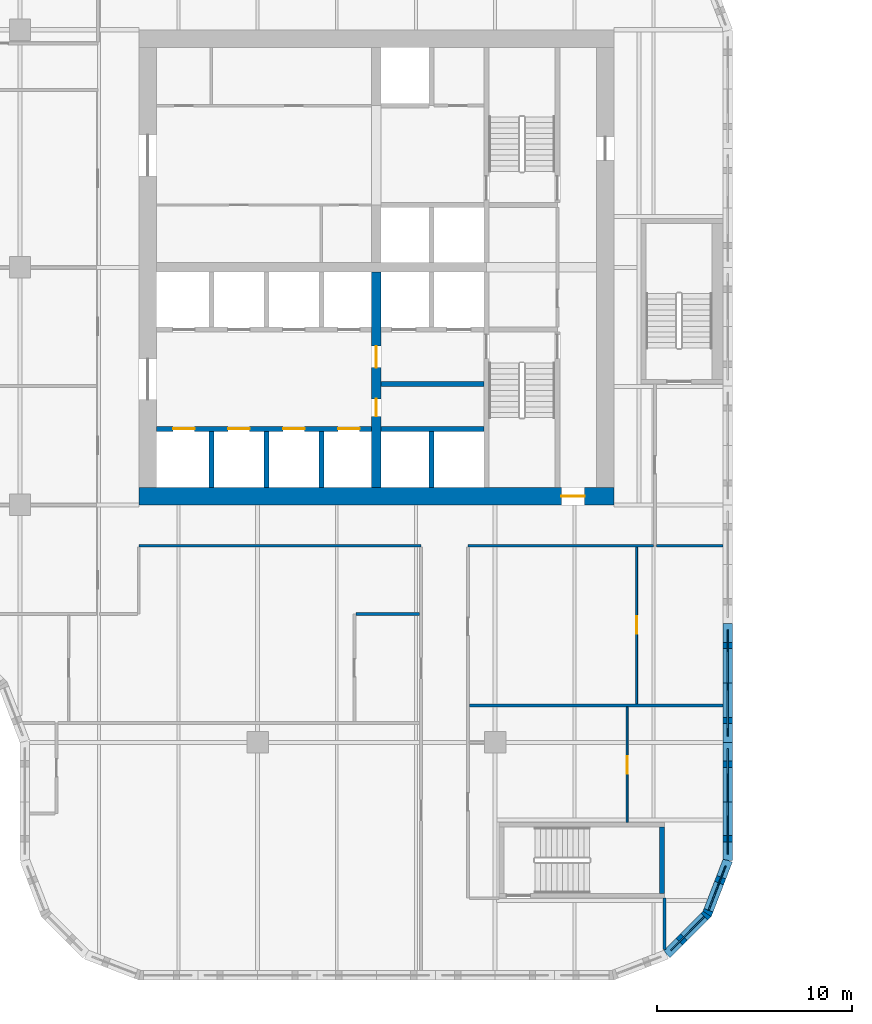
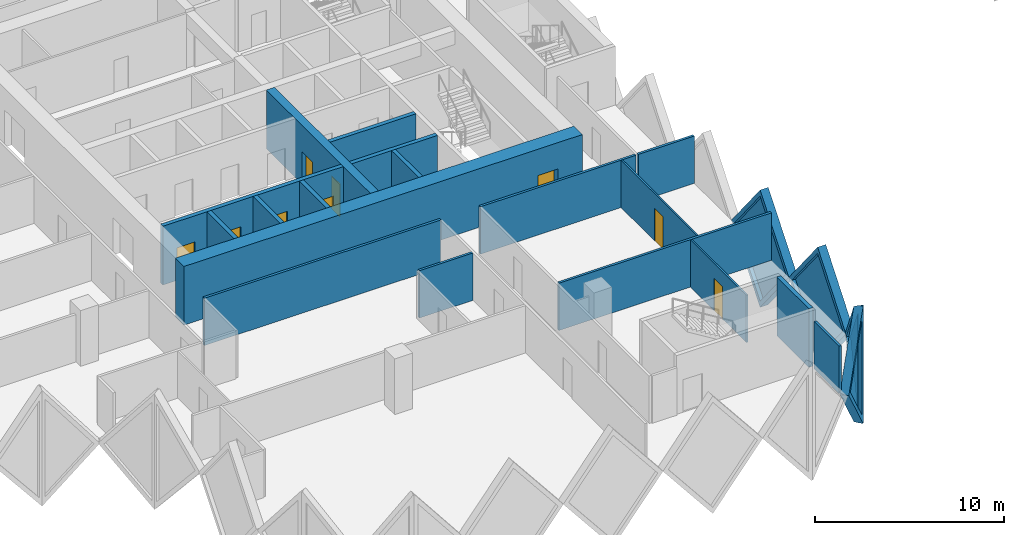
# One storey, part 6 of 18: 22 walls, 9 doors, 4 plates, 13 openings.
"""IFC4 building model written with IfcOpenShell, lengths in metres."""

from ifc_helpers import new_model, si_unit, direction, frame, frame_2d, origin, place, context, subcontext, project, spatial, polyline, rectangle, outline, extrude, faceted_brep, source, transform, mapped, material, layer, layer_set, type_object, element, fill, save


model = new_model("IFC4")

# Units and contexts
model_context = context("Model", 3, precision=1e-05, world=origin(), true_north=direction((0.0, 1.0)))
body_context = subcontext(model_context, "Body", "Model", "MODEL_VIEW")
ifc_project = project(units=[si_unit("LENGTHUNIT", "METRE"), si_unit("AREAUNIT", "SQUARE_METRE"), si_unit("VOLUMEUNIT", "CUBIC_METRE"), si_unit("PLANEANGLEUNIT", "RADIAN"), si_unit("MASSUNIT", "GRAM", prefix="KILO")], contexts=[model_context])

# Site, building, storey
site_placement = place(None, origin())
site = spatial("IfcSite", under=ifc_project, at=site_placement, CompositionType="ELEMENT")
building_placement = place(site_placement, origin())
building = spatial("IfcBuilding", under=site, at=building_placement, Name="Tessera Gate Towers", CompositionType="ELEMENT")
storey_placement = place(building_placement, frame((0.0, 0.0, 41.0)))
storey = spatial("IfcBuildingStorey", under=building, at=storey_placement, Name="L09", CompositionType="ELEMENT", Elevation=41.0)

# Wall, openings, doors
ifc_material_1 = material(Name="Concrete C40/50", Category="concrete")
ifc_layer_1 = layer(ifc_material_1, 0.25)
ifc_layer_set_1 = layer_set([ifc_layer_1], Name="CORE ENCLOSURE WALL 250")
wall_type_1 = type_object("IfcWallType", Name="CORE ENCLOSURE WALL 250", PredefinedType="SOLIDWALL", material=ifc_layer_set_1)
wall_1_placement = place(storey_placement, frame((31.39990234375, 28.300048828125, 0.0), z_axis=(0.0, 0.0, 1.0), x_axis=(1.0, 0.0, 0.0)))
wall_1 = element("IfcWall", 1, at=wall_1_placement, inside=storey, type_object=wall_type_1, Name="L09 shaft and stair enclosure wall", PredefinedType="SOLIDWALL", context=body_context, shape_type="SweptSolid", body=[
    extrude(rectangle(XDim=11.050048828125, YDim=0.25, at=frame_2d((5.52490234375, 0.0))), origin(), (0.0, 0.0, 1.0), 3.800048828125),
])
shared_shape_1 = source(origin(), body_context, "Body", "SweptSolid", [
    extrude(rectangle(XDim=1.10009765625, YDim=2.10009765625, at=frame_2d((0.550048828125, 1.050048828125))), frame((0.0, 0.135009765625, 0.0), z_axis=(0.0, -1.0, 0.0), x_axis=(1.0, 0.0, 0.0)), (0.0, 0.0, 1.0), 0.27001953125),
])
opening_1_placement = place(wall_1_placement, frame((0.862548828125, 0.0, 0.0)))
opening_1 = element("IfcOpeningElement", 2, at=opening_1_placement, cuts=wall_1, Name="Opening LD-LR1", PredefinedType="OPENING", context=body_context, shape_type="MappedRepresentation", body=[
    mapped(shared_shape_1, transform((0.0, 0.0, 0.0), scale=1.0)),
])
opening_2_placement = place(wall_1_placement, frame((3.6875, 0.0, 0.0)))
opening_2 = element("IfcOpeningElement", 3, at=opening_2_placement, cuts=wall_1, Name="Opening LD-LR2", PredefinedType="OPENING", context=body_context, shape_type="MappedRepresentation", body=[
    mapped(shared_shape_1, transform((0.0, 0.0, 0.0), scale=1.0)),
])
opening_3_placement = place(wall_1_placement, frame((6.512451171875, 0.0, 0.0)))
opening_3 = element("IfcOpeningElement", 4, at=opening_3_placement, cuts=wall_1, Name="Opening LD-LR3", PredefinedType="OPENING", context=body_context, shape_type="MappedRepresentation", body=[
    mapped(shared_shape_1, transform((0.0, 0.0, 0.0), scale=1.0)),
])
opening_4_placement = place(wall_1_placement, frame((9.33740234375, 0.0, 0.0)))
opening_4 = element("IfcOpeningElement", 5, at=opening_4_placement, cuts=wall_1, Name="Opening LD-LR4", PredefinedType="OPENING", context=body_context, shape_type="MappedRepresentation", body=[
    mapped(shared_shape_1, transform((0.0, 0.0, 0.0), scale=1.0)),
])
ifc_material_2 = material(Name="Stainless steel", Category="steel")
door_type_1 = type_object("IfcDoorType", Name="CORE DOOR LD 1100x2100", OperationType="DOUBLE_DOOR_SLIDING", PredefinedType="DOOR", material=ifc_material_2)
shared_shape_2 = source(origin(), body_context, "Body", "SweptSolid", [
    extrude(rectangle(XDim=1.10009765625, YDim=2.10009765625, at=frame_2d((0.550048828125, 1.050048828125))), frame((0.0, 0.02490234375, 0.0), z_axis=(0.0, -1.0, 0.0), x_axis=(1.0, 0.0, 0.0)), (0.0, 0.0, 1.0), 0.050048828125),
])
door_1_placement = place(opening_1_placement, origin())
door_1 = element("IfcDoor", 6, at=door_1_placement, inside=storey, type_object=door_type_1, Name="Landing door LR1 L09", OperationType="DOUBLE_DOOR_SLIDING", OverallHeight=2.10009765625, OverallWidth=1.10009765625, PredefinedType="DOOR", context=body_context, shape_type="MappedRepresentation", body=[
    mapped(shared_shape_2, transform((0.0, 0.0, 0.0), scale=1.0)),
])
fill(opening_1, door_1)
door_2_placement = place(opening_2_placement, origin())
door_2 = element("IfcDoor", 7, at=door_2_placement, inside=storey, type_object=door_type_1, Name="Landing door LR2 L09", OperationType="DOUBLE_DOOR_SLIDING", OverallHeight=2.10009765625, OverallWidth=1.10009765625, PredefinedType="DOOR", context=body_context, shape_type="MappedRepresentation", body=[
    mapped(shared_shape_2, transform((0.0, 0.0, 0.0), scale=1.0)),
])
fill(opening_2, door_2)
door_3_placement = place(opening_3_placement, origin())
door_3 = element("IfcDoor", 8, at=door_3_placement, inside=storey, type_object=door_type_1, Name="Landing door LR3 L09", OperationType="DOUBLE_DOOR_SLIDING", OverallHeight=2.10009765625, OverallWidth=1.10009765625, PredefinedType="DOOR", context=body_context, shape_type="MappedRepresentation", body=[
    mapped(shared_shape_2, transform((0.0, 0.0, 0.0), scale=1.0)),
])
fill(opening_3, door_3)
door_4_placement = place(opening_4_placement, origin())
door_4 = element("IfcDoor", 9, at=door_4_placement, inside=storey, type_object=door_type_1, Name="Landing door LR4 L09", OperationType="DOUBLE_DOOR_SLIDING", OverallHeight=2.10009765625, OverallWidth=1.10009765625, PredefinedType="DOOR", context=body_context, shape_type="MappedRepresentation", body=[
    mapped(shared_shape_2, transform((0.0, 0.0, 0.0), scale=1.0)),
])
fill(opening_4, door_4)

# Walls
for number, where, z_axis, x_axis, name in (
    (10, (42.949951171875, 28.300048828125, 0.0), (0.0, 0.0, 1.0), (1.0, 0.0, 0.0), "L09 shaft and stair enclosure wall"),
    (11, (42.949951171875, 30.60009765625, 0.0), (0.0, 0.0, 1.0), (1.0, 0.0, 0.0), "L09 shaft and stair enclosure wall"),
):
    element("IfcWall", number, at=place(storey_placement, frame(where, z_axis=z_axis, x_axis=x_axis)), inside=storey, type_object=wall_type_1, Name=name, PredefinedType="SOLIDWALL", context=body_context, shape_type="SweptSolid", body=[
        extrude(rectangle(XDim=5.275146484375, YDim=0.25, at=frame_2d((2.6376953125, 0.0))), origin(), (0.0, 0.0, 1.0), 3.800048828125),
    ])
for number, where, z_axis, x_axis, name in (
    (12, (34.22509765625, 25.300048828125, 0.0), (0.0, 0.0, 1.0), (0.0, 1.0, 0.0), "L09 shaft and stair enclosure wall"),
    (13, (37.050048828125, 25.300048828125, 0.0), (0.0, 0.0, 1.0), (0.0, 1.0, 0.0), "L09 shaft and stair enclosure wall"),
    (14, (39.875, 25.300048828125, 0.0), (0.0, 0.0, 1.0), (0.0, 1.0, 0.0), "L09 shaft and stair enclosure wall"),
    (15, (45.52490234375, 25.300048828125, 0.0), (0.0, 0.0, 1.0), (0.0, 1.0, 0.0), "L09 shaft and stair enclosure wall"),
):
    element("IfcWall", number, at=place(storey_placement, frame(where, z_axis=z_axis, x_axis=x_axis)), inside=storey, type_object=wall_type_1, Name=name, PredefinedType="SOLIDWALL", context=body_context, shape_type="SweptSolid", body=[
        extrude(rectangle(XDim=2.875, YDim=0.25, at=frame_2d((1.4375, 0.0))), origin(), (0.0, 0.0, 1.0), 3.800048828125),
    ])
wall_2_placement = place(storey_placement, frame((57.375, 7.85009765625, 0.0), z_axis=(0.0, 0.0, 1.0), x_axis=(0.0, -1.0, 0.0)))
element("IfcWall", 16, at=wall_2_placement, inside=storey, type_object=wall_type_1, Name="L09 ST4 enclosure wall", PredefinedType="SOLIDWALL", context=body_context, shape_type="SweptSolid", body=[
    extrude(rectangle(XDim=3.400146484375, YDim=0.25, at=frame_2d((1.7001953125, 0.0))), origin(), (0.0, 0.0, 1.0), 3.800048828125),
])

# Wall, opening, door
ifc_material_3 = material(Name="Concrete C70/85", Category="concrete")
ifc_layer_2 = layer(ifc_material_3, 0.89990234375)
ifc_layer_set_2 = layer_set([ifc_layer_2], Name="CORE SHEAR WALL 900 C70/85")
wall_type_2 = type_object("IfcWallType", Name="CORE SHEAR WALL 900 C70/85", PredefinedType="SHEAR", material=ifc_layer_set_2)
wall_3_placement = place(storey_placement, frame((54.89990234375, 24.85009765625, 0.0), z_axis=(0.0, 0.0, 1.0), x_axis=(-1.0, 0.0, 0.0)))
wall_3 = element("IfcWall", 17, at=wall_3_placement, inside=storey, type_object=wall_type_2, Name="Core wall S L09", PredefinedType="SHEAR", context=body_context, shape_type="SweptSolid", body=[
    extrude(rectangle(XDim=24.39990234375, YDim=0.89990234375, at=frame_2d((12.199951171875, 0.0))), origin(), (0.0, 0.0, 1.0), 3.800048828125),
])
shared_shape_3 = source(origin(), body_context, "Body", "SweptSolid", [
    extrude(rectangle(XDim=1.199951171875, YDim=2.10009765625, at=frame_2d((0.60009765625, 1.050048828125))), frame((0.0, 0.4599609375, 0.0), z_axis=(0.0, -1.0, 0.0), x_axis=(1.0, 0.0, 0.0)), (0.0, 0.0, 1.0), 0.919921875),
])
opening_5_placement = place(wall_3_placement, frame((1.5, 0.0, 0.0)))
opening_5 = element("IfcOpeningElement", 18, at=opening_5_placement, cuts=wall_3, Name="Opening ED-T1-08-01", PredefinedType="OPENING", context=body_context, shape_type="MappedRepresentation", body=[
    mapped(shared_shape_3, transform((0.0, 0.0, 0.0), scale=1.0)),
])
ifc_material_4 = material(Name="Hollow steel fire door", Category="steel")
door_type_2 = type_object("IfcDoorType", Name="CORE DOOR ED 1200x2100", OperationType="NOTDEFINED", PredefinedType="DOOR", material=ifc_material_4)
shared_shape_4 = source(origin(), body_context, "Body", "SweptSolid", [
    extrude(rectangle(XDim=1.199951171875, YDim=2.10009765625, at=frame_2d((0.60009765625, 1.050048828125))), frame((0.0, 0.02490234375, 0.0), z_axis=(0.0, -1.0, 0.0), x_axis=(1.0, 0.0, 0.0)), (0.0, 0.0, 1.0), 0.050048828125),
])
door_5_placement = place(opening_5_placement, origin())
door_5 = element("IfcDoor", 19, at=door_5_placement, inside=storey, type_object=door_type_2, Name="Core exit door", OperationType="SINGLE_SWING_LEFT", OverallHeight=2.10009765625, OverallWidth=1.199951171875, PredefinedType="DOOR", context=body_context, shape_type="MappedRepresentation", body=[
    mapped(shared_shape_4, transform((0.0, 0.0, 0.0), scale=1.0)),
])
fill(opening_5, door_5)

# Wall, openings, doors
ifc_material_5 = material(Name="Concrete C70/85", Category="concrete")
ifc_layer_3 = layer(ifc_material_5, 0.5)
ifc_layer_set_3 = layer_set([ifc_layer_3], Name="CORE SPINE WALL 500 C70/85")
wall_type_3 = type_object("IfcWallType", Name="CORE SPINE WALL 500 C70/85", PredefinedType="SHEAR", material=ifc_layer_set_3)
wall_4_placement = place(storey_placement, frame((42.699951171875, 36.35009765625, 0.0), z_axis=(0.0, 0.0, 1.0), x_axis=(0.0, -1.0, 0.0)))
wall_4 = element("IfcWall", 20, at=wall_4_placement, inside=storey, type_object=wall_type_3, Name="Core wall spine L09", PredefinedType="SHEAR", context=body_context, shape_type="SweptSolid", body=[
    extrude(rectangle(XDim=11.050048828125, YDim=0.5, at=frame_2d((5.52490234375, 0.0))), origin(), (0.0, 0.0, 1.0), 3.800048828125),
])
shared_shape_5 = source(origin(), body_context, "Body", "SweptSolid", [
    extrude(rectangle(XDim=0.89990234375, YDim=2.10009765625, at=frame_2d((0.449951171875, 1.050048828125))), frame((0.0, 0.260009765625, 0.0), z_axis=(0.0, -1.0, 0.0), x_axis=(1.0, 0.0, 0.0)), (0.0, 0.0, 1.0), 0.52001953125),
])
opening_6_placement = place(wall_4_placement, frame((6.5, 0.0, 0.0)))
opening_6 = element("IfcOpeningElement", 21, at=opening_6_placement, cuts=wall_4, Name="Opening RD-T1-08-05", PredefinedType="OPENING", context=body_context, shape_type="MappedRepresentation", body=[
    mapped(shared_shape_5, transform((0.0, 0.0, 0.0), scale=1.0)),
])
shared_shape_6 = source(origin(), body_context, "Body", "SweptSolid", [
    extrude(rectangle(XDim=1.10009765625, YDim=2.10009765625, at=frame_2d((0.550048828125, 1.050048828125))), frame((0.0, 0.260009765625, 0.0), z_axis=(0.0, -1.0, 0.0), x_axis=(1.0, 0.0, 0.0)), (0.0, 0.0, 1.0), 0.52001953125),
])
opening_7_placement = place(wall_4_placement, frame((3.800048828125, 0.0, 0.0)))
opening_7 = element("IfcOpeningElement", 22, at=opening_7_placement, cuts=wall_4, Name="Opening FD-T1-08-06", PredefinedType="OPENING", context=body_context, shape_type="MappedRepresentation", body=[
    mapped(shared_shape_6, transform((0.0, 0.0, 0.0), scale=1.0)),
])
ifc_material_6 = material(Name="Hollow steel fire door", Category="steel")
door_type_3 = type_object("IfcDoorType", Name="CORE DOOR RD 900x2100", OperationType="NOTDEFINED", PredefinedType="DOOR", material=ifc_material_6)
shared_shape_7 = source(origin(), body_context, "Body", "SweptSolid", [
    extrude(rectangle(XDim=0.89990234375, YDim=2.10009765625, at=frame_2d((0.449951171875, 1.050048828125))), frame((0.0, 0.02490234375, 0.0), z_axis=(0.0, -1.0, 0.0), x_axis=(1.0, 0.0, 0.0)), (0.0, 0.0, 1.0), 0.050048828125),
])
door_6_placement = place(opening_6_placement, origin())
door_6 = element("IfcDoor", 23, at=door_6_placement, inside=storey, type_object=door_type_3, Name="Core room door", OperationType="SINGLE_SWING_RIGHT", OverallHeight=2.10009765625, OverallWidth=0.89990234375, PredefinedType="DOOR", context=body_context, shape_type="MappedRepresentation", body=[
    mapped(shared_shape_7, transform((0.0, 0.0, 0.0), scale=1.0)),
])
fill(opening_6, door_6)
ifc_material_7 = material(Name="Hollow steel fire door", Category="steel")
door_type_4 = type_object("IfcDoorType", Name="CORE DOOR FD 1100x2100", OperationType="NOTDEFINED", PredefinedType="DOOR", material=ifc_material_7)
door_7_placement = place(opening_7_placement, origin())
door_7 = element("IfcDoor", 24, at=door_7_placement, inside=storey, type_object=door_type_4, Name="Fire-fighting lobby door", OperationType="SINGLE_SWING_LEFT", OverallHeight=2.10009765625, OverallWidth=1.10009765625, PredefinedType="DOOR", context=body_context, shape_type="MappedRepresentation", body=[
    mapped(shared_shape_2, transform((0.0, 0.0, 0.0), scale=1.0)),
])
fill(opening_7, door_7)

# Walls
ifc_material_8 = material(Name="Gypsum board on steel studs, mineral wool", Category="steel")
ifc_layer_4 = layer(ifc_material_8, 0.14990234375)
ifc_layer_set_4 = layer_set([ifc_layer_4], Name="CORRIDOR WALL 150")
wall_type_4 = type_object("IfcWallType", Name="CORRIDOR WALL 150", PredefinedType="PARTITIONING", material=ifc_layer_set_4)
wall_5_placement = place(storey_placement, frame((57.5, 1.55908203125, 0.0), z_axis=(0.0, 0.0, 1.0), x_axis=(0.0, 1.0, 0.0)))
element("IfcWall", 25, at=wall_5_placement, inside=storey, type_object=wall_type_4, Name="T1-L09-PW-002", PredefinedType="PARTITIONING", context=body_context, shape_type="SweptSolid", body=[
    extrude(rectangle(XDim=2.640869140625, YDim=0.14990234375, at=frame_2d((1.3203125, 0.0))), origin(), (0.0, 0.0, 1.0), 3.06689453125),
])
wall_6_placement = place(storey_placement, frame((30.5, 22.300048828125, 0.0), z_axis=(0.0, 0.0, 1.0), x_axis=(1.0, 0.0, 0.0)))
element("IfcWall", 26, at=wall_6_placement, inside=storey, type_object=wall_type_4, Name="T1-L09-PW-022", PredefinedType="PARTITIONING", context=body_context, shape_type="SweptSolid", body=[
    extrude(rectangle(XDim=14.5, YDim=0.14990234375, at=frame_2d((7.25, 0.0))), origin(), (0.0, 0.0, 1.0), 3.06689453125),
])
wall_7_placement = place(storey_placement, frame((47.39990234375, 22.300048828125, 0.0), z_axis=(0.0, 0.0, 1.0), x_axis=(1.0, 0.0, 0.0)))
element("IfcWall", 27, at=wall_7_placement, inside=storey, type_object=wall_type_4, Name="T1-L09-PW-023", PredefinedType="PARTITIONING", context=body_context, shape_type="SweptSolid", body=[
    extrude(rectangle(XDim=9.524169921875, YDim=0.14990234375, at=frame_2d((4.76220703125, 0.0))), origin(), (0.0, 0.0, 1.0), 3.06689453125),
])

# Wall, opening, door
ifc_material_9 = material(Name="Glass", Category="glass")
ifc_layer_5 = layer(ifc_material_9, 0.10009765625)
ifc_layer_set_5 = layer_set([ifc_layer_5], Name="GLAZED PARTITION 100")
wall_type_5 = type_object("IfcWallType", Name="GLAZED PARTITION 100", PredefinedType="PARTITIONING", material=ifc_layer_set_5)
wall_8_placement = place(storey_placement, frame((56.06494140625, 22.22412109375, 0.0), z_axis=(0.0, 0.0, 1.0), x_axis=(0.0, -1.0, 0.0)))
wall_8 = element("IfcWall", 28, at=wall_8_placement, inside=storey, type_object=wall_type_5, Name="T1-L09-PW-014", PredefinedType="PARTITIONING", context=body_context, shape_type="SweptSolid", body=[
    extrude(rectangle(XDim=8.048095703125, YDim=0.10009765625, at=frame_2d((4.02392578125, 0.0))), origin(), (0.0, 0.0, 1.0), 3.06689453125),
])
shared_shape_8 = source(origin(), body_context, "Body", "SweptSolid", [
    extrude(rectangle(XDim=0.89990234375, YDim=2.10009765625, at=frame_2d((0.449951171875, 1.050048828125))), frame((0.0, 0.06005859375, 0.0), z_axis=(0.0, -1.0, 0.0), x_axis=(1.0, 0.0, 0.0)), (0.0, 0.0, 1.0), 0.1201171875),
])
opening_8_placement = place(wall_8_placement, frame((3.548095703125, 0.0, 0.0)))
opening_8 = element("IfcOpeningElement", 29, at=opening_8_placement, cuts=wall_8, Name="Opening D690-A03-04", PredefinedType="OPENING", context=body_context, shape_type="MappedRepresentation", body=[
    mapped(shared_shape_8, transform((0.0, 0.0, 0.0), scale=1.0)),
])
ifc_material_10 = material(Name="Glass in aluminium frame", Category="aluminium")
door_type_5 = type_object("IfcDoorType", Name="GLAZED DOOR 900 NOT RATED", OperationType="NOTDEFINED", PredefinedType="DOOR", material=ifc_material_10)
door_8_placement = place(opening_8_placement, origin())
door_8 = element("IfcDoor", 30, at=door_8_placement, inside=storey, type_object=door_type_5, Name="T1-L09-PD-019", OperationType="SINGLE_SWING_RIGHT", OverallHeight=2.10009765625, OverallWidth=0.89990234375, PredefinedType="DOOR", context=body_context, shape_type="MappedRepresentation", body=[
    mapped(shared_shape_7, transform((0.0, 0.0, 0.0), scale=1.0)),
])
fill(opening_8, door_8)

ifc_material_11 = material(Name="Gypsum board on steel studs", Category="steel")
ifc_layer_6 = layer(ifc_material_11, 0.10009765625)
ifc_layer_set_6 = layer_set([ifc_layer_6], Name="PARTITION 100")
wall_type_6 = type_object("IfcWallType", Name="PARTITION 100", PredefinedType="PARTITIONING", material=ifc_layer_set_6)
wall_9_placement = place(storey_placement, frame((55.574951171875, 14.02392578125, 0.0), z_axis=(0.0, 0.0, 1.0), x_axis=(0.0, -1.0, 0.0)))
wall_9 = element("IfcWall", 31, at=wall_9_placement, inside=storey, type_object=wall_type_6, Name="T1-L09-PW-005", PredefinedType="PARTITIONING", context=body_context, shape_type="SweptSolid", body=[
    extrude(rectangle(XDim=5.923828125, YDim=0.10009765625, at=frame_2d((2.9619140625, 0.0))), origin(), (0.0, 0.0, 1.0), 3.06689453125),
])
opening_9_placement = place(wall_9_placement, frame((2.52392578125, 0.0, 0.0)))
opening_9 = element("IfcOpeningElement", 32, at=opening_9_placement, cuts=wall_9, Name="Opening D190-A03-08", PredefinedType="OPENING", context=body_context, shape_type="MappedRepresentation", body=[
    mapped(shared_shape_8, transform((0.0, 0.0, 0.0), scale=1.0)),
])
ifc_material_12 = material(Name="Timber door leaf in steel frame", Category="steel")
door_type_6 = type_object("IfcDoorType", Name="INTERNAL DOOR 900 NOT RATED", OperationType="NOTDEFINED", PredefinedType="DOOR", material=ifc_material_12)
door_9_placement = place(opening_9_placement, origin())
door_9 = element("IfcDoor", 33, at=door_9_placement, inside=storey, type_object=door_type_6, Name="T1-L09-PD-012", OperationType="SINGLE_SWING_RIGHT", OverallHeight=2.10009765625, OverallWidth=0.89990234375, PredefinedType="DOOR", context=body_context, shape_type="MappedRepresentation", body=[
    mapped(shared_shape_7, transform((0.0, 0.0, 0.0), scale=1.0)),
])
fill(opening_9, door_9)

# Walls
ifc_material_13 = material(Name="Gypsum board on steel studs, mineral wool", Category="steel")
ifc_layer_7 = layer(ifc_material_13, 0.14990234375)
ifc_layer_set_7 = layer_set([ifc_layer_7], Name="TENANCY WALL 150")
wall_type_7 = type_object("IfcWallType", Name="TENANCY WALL 150", PredefinedType="PARTITIONING", material=ifc_layer_set_7)
wall_10_placement = place(storey_placement, frame((47.47607421875, 14.10009765625, 0.0), z_axis=(0.0, 0.0, 1.0), x_axis=(1.0, 0.0, 0.0)))
element("IfcWall", 34, at=wall_10_placement, inside=storey, type_object=wall_type_7, Name="T1-L09-PW-013", PredefinedType="PARTITIONING", context=body_context, shape_type="SweptSolid", body=[
    extrude(rectangle(XDim=13.02392578125, YDim=0.14990234375, at=frame_2d((6.511962890625, 0.0))), origin(), (0.0, 0.0, 1.0), 3.06689453125),
])
wall_11_placement = place(storey_placement, frame((41.65087890625, 18.800048828125, 0.0), z_axis=(0.0, 0.0, 1.0), x_axis=(1.0, 0.0, 0.0)))
element("IfcWall", 35, at=wall_11_placement, inside=storey, type_object=wall_type_7, Name="T1-L09-PW-020", PredefinedType="PARTITIONING", context=body_context, shape_type="SweptSolid", body=[
    extrude(rectangle(XDim=3.273193359375, YDim=0.14990234375, at=frame_2d((1.63671875, 0.0))), origin(), (0.0, 0.0, 1.0), 3.06689453125),
])
wall_12_placement = place(storey_placement, frame((57.075927734375, 22.300048828125, 0.0), z_axis=(0.0, 0.0, 1.0), x_axis=(1.0, 0.0, 0.0)))
element("IfcWall", 36, at=wall_12_placement, inside=storey, type_object=wall_type_7, Name="T1-L09-PW-025", PredefinedType="PARTITIONING", context=body_context, shape_type="SweptSolid", body=[
    extrude(rectangle(XDim=3.424072265625, YDim=0.14990234375, at=frame_2d((1.7119140625, 0.0))), origin(), (0.0, 0.0, 1.0), 3.06689453125),
])

# Wall, opening, plate
ifc_material_14 = material(Name="Precast concrete C60/75 white", Category="concrete")
ifc_layer_8 = layer(ifc_material_14, 0.5)
ifc_layer_set_8 = layer_set([ifc_layer_8], Name="TS1 tessera")
wall_type_8 = type_object("IfcWallType", Name="TS1 tessera", PredefinedType="SOLIDWALL", material=ifc_layer_set_8)
shared_shape_9 = source(origin(), body_context, "Body", "Brep", [
    faceted_brep([(3.00341796875, -0.25, 0.0), (6.053466796875, -0.25, 3.800048828125), (3.00341796875, -0.25, 7.60009765625), (0.0, -0.25, 3.800048828125), (0.046630859375, 0.25, 3.85888671875), (3.00341796875, 0.25, 7.60009765625), (6.053466796875, 0.25, 3.800048828125), (3.00341796875, 0.25, 0.0), (0.046630859375, 0.25, 3.7412109375), (0.0, 0.0, 3.800048828125)], [[[0, 1, 2, 3]], [[4, 5, 6, 7, 8]], [[7, 6, 1, 0]], [[6, 5, 2, 1]], [[5, 4, 9, 3, 2]], [[8, 7, 0, 3, 9]], [[8, 9, 4]]]),
])
wall_13_placement = place(storey_placement, frame((60.75, 6.146484375, -3.800048828125), z_axis=(0.0, 0.0, 1.0), x_axis=(0.0, 1.0, 0.0)))
wall_13 = element("IfcWall", 37, at=wall_13_placement, inside=storey, type_object=wall_type_8, Name="Precast tessera T1 TS1-0095", PredefinedType="SOLIDWALL", context=body_context, shape_type="MappedRepresentation", body=[
    mapped(shared_shape_9, transform((0.0, 0.0, 0.0), scale=1.0)),
])
shared_shape_10 = source(origin(), body_context, "Body", "SweptSolid", [
    extrude(outline(polyline([(3.0048828125, 0.4013671875), (5.73291015625, 3.800048828125), (3.0048828125, 7.19873046875), (0.318603515625, 3.800048828125), (3.0048828125, 0.4013671875)])), frame((0.0, 0.260009765625, 0.0), z_axis=(0.0, -1.0, 0.0), x_axis=(1.0, 0.0, 0.0)), (0.0, 0.0, 1.0), 0.52001953125),
])
opening_10_placement = place(wall_13_placement, origin())
opening_10 = element("IfcOpeningElement", 38, at=opening_10_placement, cuts=wall_13, Name="Opening T1-PL2-0197", PredefinedType="OPENING", context=body_context, shape_type="MappedRepresentation", body=[
    mapped(shared_shape_10, transform((0.0, 0.0, 0.0), scale=1.0)),
])
ifc_material_15 = material(Name="Low-e laminated glass", Category="glass")
ifc_layer_9 = layer(ifc_material_15, 0.06005859375)
ifc_layer_set_9 = layer_set([ifc_layer_9], Name="PL2 rhombic pane")
plate_type = type_object("IfcPlateType", Name="PL2 rhombic pane", PredefinedType="SHEET", material=ifc_layer_set_9)
shared_shape_11 = source(origin(), body_context, "Body", "SweptSolid", [
    extrude(outline(polyline([(3.0048828125, 0.4013671875), (5.73291015625, 3.800048828125), (3.0048828125, 7.19873046875), (0.318603515625, 3.800048828125), (3.0048828125, 0.4013671875)])), frame((0.0, 0.030029296875, 0.0), z_axis=(0.0, -1.0, 0.0), x_axis=(1.0, 0.0, 0.0)), (0.0, 0.0, 1.0), 0.06005859375),
])
plate_1_placement = place(opening_10_placement, origin())
plate_1 = element("IfcPlate", 39, at=plate_1_placement, inside=storey, type_object=plate_type, Name="Glass pane T1 PL2-0197", PredefinedType="SHEET", context=body_context, shape_type="MappedRepresentation", body=[
    mapped(shared_shape_11, transform((0.0, 0.0, 0.0), scale=1.0)),
])
fill(opening_10, plate_1)

shared_shape_12 = source(origin(), body_context, "Body", "SweptSolid", [
    extrude(outline(polyline([(3.050048828125, 0.0), (6.10009765625, 3.800048828125), (3.050048828125, 7.60009765625), (0.0, 3.800048828125), (3.050048828125, 0.0)])), frame((0.0, 0.25, 0.0), z_axis=(0.0, -1.0, 0.0), x_axis=(1.0, 0.0, 0.0)), (0.0, 0.0, 1.0), 0.5),
])
wall_14_placement = place(storey_placement, frame((60.75, 12.199951171875, -3.800048828125), z_axis=(0.0, 0.0, 1.0), x_axis=(0.0, 1.0, 0.0)))
wall_14 = element("IfcWall", 40, at=wall_14_placement, inside=storey, type_object=wall_type_8, Name="Precast tessera T1 TS1-0096", PredefinedType="SOLIDWALL", context=body_context, shape_type="MappedRepresentation", body=[
    mapped(shared_shape_12, transform((0.0, 0.0, 0.0), scale=1.0)),
])
shared_shape_13 = source(origin(), body_context, "Body", "SweptSolid", [
    extrude(outline(polyline([(3.050048828125, 0.3994140625), (5.779541015625, 3.800048828125), (3.050048828125, 7.20068359375), (0.320556640625, 3.800048828125), (3.050048828125, 0.3994140625)])), frame((0.0, 0.260009765625, 0.0), z_axis=(0.0, -1.0, 0.0), x_axis=(1.0, 0.0, 0.0)), (0.0, 0.0, 1.0), 0.52001953125),
])
opening_11_placement = place(wall_14_placement, origin())
opening_11 = element("IfcOpeningElement", 41, at=opening_11_placement, cuts=wall_14, Name="Opening T1-PL2-0198", PredefinedType="OPENING", context=body_context, shape_type="MappedRepresentation", body=[
    mapped(shared_shape_13, transform((0.0, 0.0, 0.0), scale=1.0)),
])
shared_shape_14 = source(origin(), body_context, "Body", "SweptSolid", [
    extrude(outline(polyline([(3.050048828125, 0.3994140625), (5.779541015625, 3.800048828125), (3.050048828125, 7.20068359375), (0.320556640625, 3.800048828125), (3.050048828125, 0.3994140625)])), frame((0.0, 0.030029296875, 0.0), z_axis=(0.0, -1.0, 0.0), x_axis=(1.0, 0.0, 0.0)), (0.0, 0.0, 1.0), 0.06005859375),
])
plate_2_placement = place(opening_11_placement, origin())
plate_2 = element("IfcPlate", 42, at=plate_2_placement, inside=storey, type_object=plate_type, Name="Glass pane T1 PL2-0198", PredefinedType="SHEET", context=body_context, shape_type="MappedRepresentation", body=[
    mapped(shared_shape_14, transform((0.0, 0.0, 0.0), scale=1.0)),
])
fill(opening_11, plate_2)

ifc_material_16 = material(Name="Precast concrete C60/75 white", Category="concrete")
ifc_layer_10 = layer(ifc_material_16, 0.5)
ifc_layer_set_10 = layer_set([ifc_layer_10], Name="TS3 corner tessera")
wall_type_9 = type_object("IfcWallType", Name="TS3 corner tessera", PredefinedType="SOLIDWALL", material=ifc_layer_set_10)
shared_shape_15 = source(origin(), body_context, "Body", "Brep", [
    faceted_brep([(2.944091796875, -0.25, 0.0), (2.9970703125, -0.25, 0.068115234375), (2.9970703125, -0.25, 7.531982421875), (2.944091796875, -0.25, 7.60009765625), (0.0, -0.25, 3.800048828125), (0.052978515625, 0.25, 3.868408203125), (2.89111328125, 0.25, 7.531982421875), (2.89111328125, 0.25, 0.068115234375), (0.052978515625, 0.25, 3.731689453125), (2.944091796875, 0.000244140625, 0.0), (2.944091796875, 0.000244140625, 7.60009765625), (0.0, 0.0, 3.800048828125)], [[[0, 1, 2, 3, 4]], [[5, 6, 7, 8]], [[1, 0, 9]], [[10, 3, 2]], [[6, 5, 11, 4, 3, 10]], [[8, 7, 9, 0, 4, 11]], [[8, 11, 5]], [[1, 9, 7, 6, 10, 2]]]),
])
wall_15_placement = place(storey_placement, frame((57.606201171875, 1.31201171875, -3.800048828125), z_axis=(0.0, 0.0, 1.0), x_axis=(0.707147509625, 0.707066050402, 0.0)))
wall_15 = element("IfcWall", 43, at=wall_15_placement, inside=storey, type_object=wall_type_9, Name="Precast corner tessera T1 TS3-0173", PredefinedType="SOLIDWALL", context=body_context, shape_type="MappedRepresentation", body=[
    mapped(shared_shape_15, transform((0.0, 0.0, 0.0), scale=1.0)),
])
shared_shape_16 = source(origin(), body_context, "Body", "SweptSolid", [
    extrude(outline(polyline([(2.744140625, 6.933837890625), (0.316162109375, 3.800048828125), (2.744140625, 0.666259765625), (2.744140625, 6.933837890625)])), frame((0.0, 0.260009765625, 0.0), z_axis=(0.0, -1.0, 0.0), x_axis=(1.0, 0.0, 0.0)), (0.0, 0.0, 1.0), 0.52001953125),
])
opening_12_placement = place(wall_15_placement, origin())
opening_12 = element("IfcOpeningElement", 44, at=opening_12_placement, cuts=wall_15, Name="Opening T1-PL2-0195", PredefinedType="OPENING", context=body_context, shape_type="MappedRepresentation", body=[
    mapped(shared_shape_16, transform((0.0, 0.0, 0.0), scale=1.0)),
])
shared_shape_17 = source(origin(), body_context, "Body", "SweptSolid", [
    extrude(outline(polyline([(2.744140625, 6.933837890625), (0.316162109375, 3.800048828125), (2.744140625, 0.666259765625), (2.744140625, 6.933837890625)])), frame((0.0, 0.030029296875, 0.0), z_axis=(0.0, -1.0, 0.0), x_axis=(1.0, 0.0, 0.0)), (0.0, 0.0, 1.0), 0.06005859375),
])
plate_3_placement = place(opening_12_placement, origin())
plate_3 = element("IfcPlate", 45, at=plate_3_placement, inside=storey, type_object=plate_type, Name="Glass pane T1 PL2-0195", PredefinedType="SHEET", context=body_context, shape_type="MappedRepresentation", body=[
    mapped(shared_shape_17, transform((0.0, 0.0, 0.0), scale=1.0)),
])
fill(opening_12, plate_3)

shared_shape_18 = source(origin(), body_context, "Body", "Brep", [
    faceted_brep([(0.052978515625, -0.25, 0.0), (3.00341796875, -0.25, 3.800048828125), (0.052978515625, -0.25, 7.60009765625), (0.0, -0.25, 7.53173828125), (0.0, -0.25, 0.068359375), (0.10595703125, 0.25, 7.531982421875), (2.95703125, 0.25, 3.85986328125), (2.95703125, 0.25, 3.740234375), (0.10595703125, 0.25, 0.068115234375), (3.00341796875, 0.00048828125, 3.800048828125), (0.052978515625, 0.0, 0.0), (0.052978515625, 0.0, 7.60009765625)], [[[0, 1, 2, 3, 4]], [[5, 6, 7, 8]], [[8, 7, 9, 1, 0, 10]], [[6, 5, 11, 2, 1, 9]], [[3, 2, 11]], [[10, 0, 4]], [[8, 10, 4, 3, 11, 5]], [[9, 7, 6]]]),
])
wall_16_placement = place(storey_placement, frame((59.6689453125, 3.34423828125, -3.800048828125), z_axis=(0.0, 0.0, 1.0), x_axis=(0.35992665181, 0.932980602862, 0.0)))
wall_16 = element("IfcWall", 46, at=wall_16_placement, inside=storey, type_object=wall_type_9, Name="Precast corner tessera T1 TS3-0174", PredefinedType="SOLIDWALL", context=body_context, shape_type="MappedRepresentation", body=[
    mapped(shared_shape_18, transform((0.0, 0.0, 0.0), scale=1.0)),
])
shared_shape_19 = source(origin(), body_context, "Body", "SweptSolid", [
    extrude(outline(polyline([(0.2529296875, 0.665283203125), (2.68701171875, 3.800048828125), (0.2529296875, 6.934814453125), (0.2529296875, 0.665283203125)])), frame((0.0, 0.260009765625, 0.0), z_axis=(0.0, -1.0, 0.0), x_axis=(1.0, 0.0, 0.0)), (0.0, 0.0, 1.0), 0.52001953125),
])
opening_13_placement = place(wall_16_placement, origin())
opening_13 = element("IfcOpeningElement", 47, at=opening_13_placement, cuts=wall_16, Name="Opening T1-PL2-0196", PredefinedType="OPENING", context=body_context, shape_type="MappedRepresentation", body=[
    mapped(shared_shape_19, transform((0.0, 0.0, 0.0), scale=1.0)),
])
shared_shape_20 = source(origin(), body_context, "Body", "SweptSolid", [
    extrude(outline(polyline([(0.2529296875, 0.665283203125), (2.68701171875, 3.800048828125), (0.2529296875, 6.934814453125), (0.2529296875, 0.665283203125)])), frame((0.0, 0.030029296875, 0.0), z_axis=(0.0, -1.0, 0.0), x_axis=(1.0, 0.0, 0.0)), (0.0, 0.0, 1.0), 0.06005859375),
])
plate_4_placement = place(opening_13_placement, origin())
plate_4 = element("IfcPlate", 48, at=plate_4_placement, inside=storey, type_object=plate_type, Name="Glass pane T1 PL2-0196", PredefinedType="SHEET", context=body_context, shape_type="MappedRepresentation", body=[
    mapped(shared_shape_20, transform((0.0, 0.0, 0.0), scale=1.0)),
])
fill(opening_13, plate_4)

save(model, "model.ifc")
